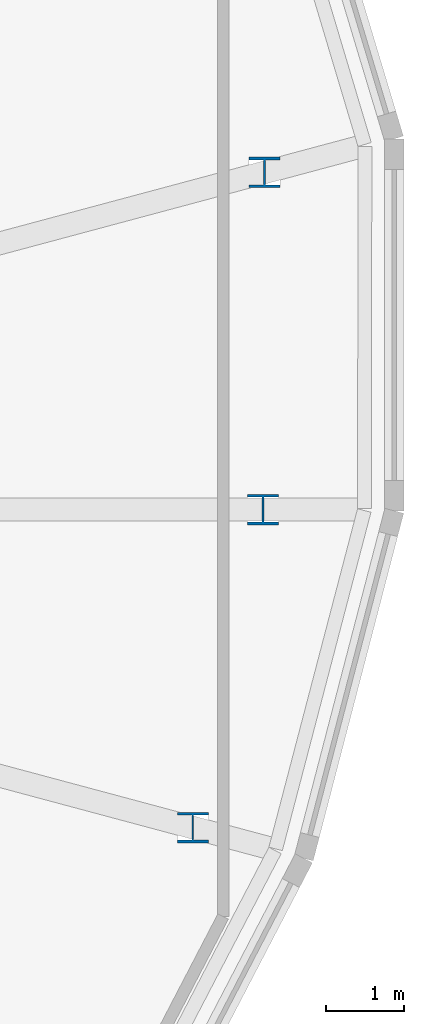
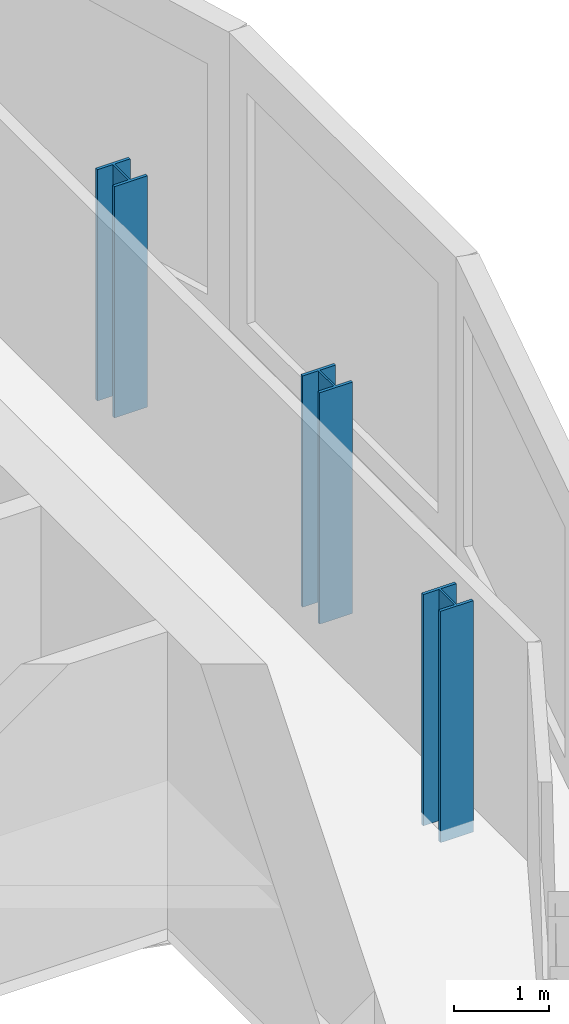
# One storey, part 2 of 37: 3 columns.
"""IFC4 building model written with IfcOpenShell, lengths in metres."""

from ifc_helpers import new_model, si_unit, direction, frame, origin, origin_2d, place, context, subcontext, project, spatial, i_section, extrude, material, material_profile, profile_set, type_object, element, save


model = new_model("IFC4")

# Units and contexts
model_context = context("Model", 3, precision=1e-05, world=origin(), true_north=direction((0.0, 1.0)))
body_context = subcontext(model_context, "Body", "Model", "MODEL_VIEW")
ifc_project = project(units=[si_unit("LENGTHUNIT", "METRE"), si_unit("AREAUNIT", "SQUARE_METRE"), si_unit("VOLUMEUNIT", "CUBIC_METRE"), si_unit("PLANEANGLEUNIT", "RADIAN"), si_unit("MASSUNIT", "GRAM", prefix="KILO")], contexts=[model_context])

# Site, building, storey
site_placement = place(None, origin())
site = spatial("IfcSite", under=ifc_project, at=site_placement, CompositionType="ELEMENT")
building_placement = place(site_placement, origin())
building = spatial("IfcBuilding", under=site, at=building_placement, Name="Rimbun Link Towers", CompositionType="ELEMENT")
storey_placement = place(building_placement, frame((0.0, 0.0, 162.699951171875)))
storey = spatial("IfcBuildingStorey", under=building, at=storey_placement, Name="L39", CompositionType="ELEMENT", Elevation=162.699951171875)

# Columns
ifc_material = material(Name="Steel S355J2", Category="steel")
ifc_material_profile = material_profile(ifc_material, i_section(OverallWidth=0.39892578125, OverallDepth=0.3935546875, WebThickness=0.022705078125, FlangeThickness=0.03662109375, at=origin_2d()), Name="UC 356x406x287")
ifc_profile_set = profile_set([ifc_material_profile], Name="Steel S355J2")
column_type = type_object("IfcColumnType", Name="UC 356x406x287", PredefinedType="COLUMN", material=ifc_profile_set)
for number, where, z_axis, x_axis, name in (
    (1, (47.01513671875, -4.09033203125, -0.14990234375), (0.0, 0.0, 1.0), (1.0, 0.0, 0.0), "Crease post T2 L39 20"),
    (2, (47.916748046875, 0.0, -0.14990234375), (0.0, 0.0, 1.0), (1.0, 0.0, 0.0), "Crease post T2 L39 21"),
    (3, (47.93603515625, 4.337158203125, -0.14990234375), (0.0, 0.0, 1.0), (1.0, 0.0, 0.0), "Crease post T2 L39 22"),
):
    element("IfcColumn", number, at=place(storey_placement, frame(where, z_axis=z_axis, x_axis=x_axis)), inside=storey, type_object=column_type, Name=name, PredefinedType="COLUMN", context=body_context, shape_type="SweptSolid", body=[
        extrude(i_section(OverallWidth=0.39892578125, OverallDepth=0.3935546875, WebThickness=0.022705078125, FlangeThickness=0.03662109375, at=origin_2d()), origin(), (0.0, 0.0, 1.0), 2.959228515625),
    ])

save(model, "model.ifc")
